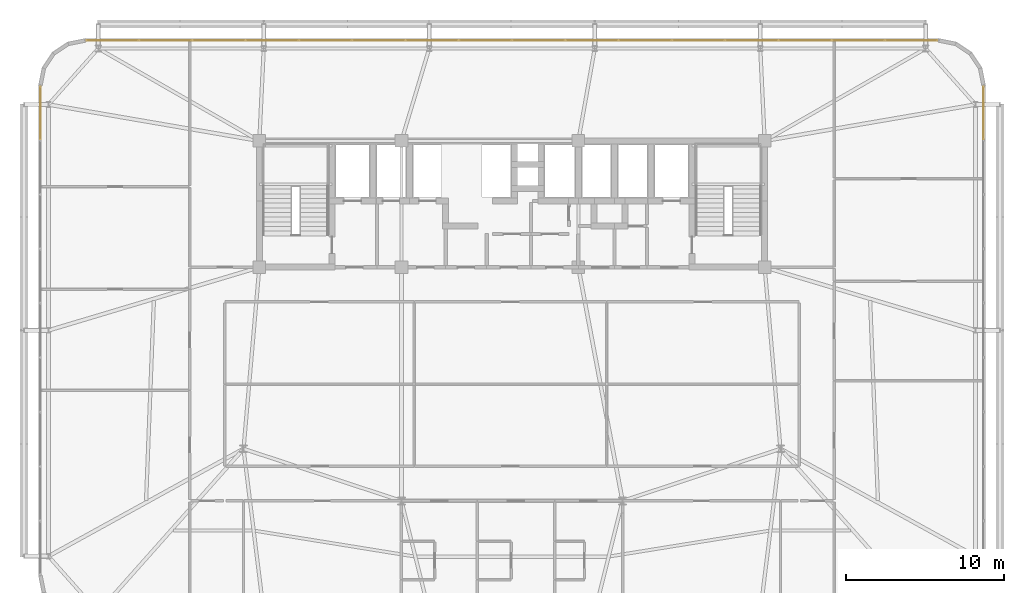
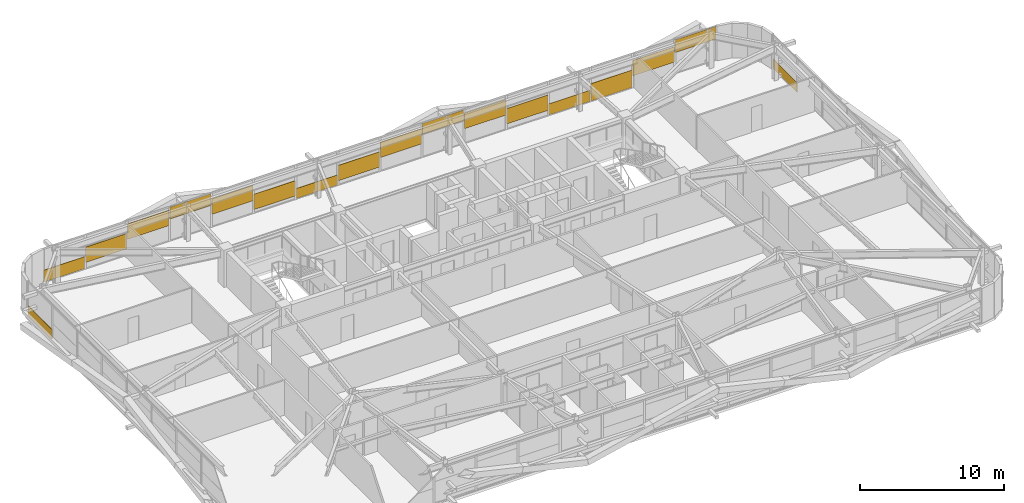
# One storey, part 59 of 59: 18 coverings.
"""IFC4 building model written with IfcOpenShell, lengths in metres."""

from ifc_helpers import new_model, si_unit, direction, frame, origin, origin_2d, place, context, subcontext, project, spatial, rectangle, extrude, source, transform, mapped, material, layer, layer_set, type_object, element, save


model = new_model("IFC4")

# Units and contexts
model_context = context("Model", 3, precision=1e-05, world=origin(), true_north=direction((0.0, 1.0)))
body_context = subcontext(model_context, "Body", "Model", "MODEL_VIEW")
ifc_project = project(units=[si_unit("LENGTHUNIT", "METRE"), si_unit("AREAUNIT", "SQUARE_METRE"), si_unit("VOLUMEUNIT", "CUBIC_METRE"), si_unit("PLANEANGLEUNIT", "RADIAN"), si_unit("MASSUNIT", "GRAM", prefix="KILO")], contexts=[model_context])

# Site, building, storey
site_placement = place(None, origin())
site = spatial("IfcSite", under=ifc_project, at=site_placement, CompositionType="ELEMENT")
building_placement = place(site_placement, origin())
building = spatial("IfcBuilding", under=site, at=building_placement, Name="Taldren Reach Tower", CompositionType="ELEMENT")
storey_placement = place(building_placement, frame((0.0, 0.0, 48.300048828125)))
storey = spatial("IfcBuildingStorey", under=building, at=storey_placement, Name="L14", CompositionType="ELEMENT", Elevation=48.300048828125)

# Coverings
ifc_material = material(Name="Pale Champagne Fluoropolymer Aluminium Spandrel Cladding", Category="aluminium")
ifc_layer = layer(ifc_material, 0.0439453125)
ifc_layer_set = layer_set([ifc_layer], Name="Pale Champagne Fluoropolymer Aluminium Spandrel Cladding")
covering_type = type_object("IfcCoveringType", Name="CV-CLAD-044", PredefinedType="CLADDING", material=ifc_layer_set)
shared_shape_1 = source(origin(), body_context, "Body", "SweptSolid", [
    extrude(rectangle(XDim=3.277587890625, YDim=0.0439453125, at=origin_2d()), origin(), (0.0, 0.0, 1.0), 1.081298828125),
])
covering_1_placement = place(storey_placement, frame((60.296142578125, 38.360107421875, 1.79345703125), z_axis=(0.0, 0.0, 1.0), x_axis=(-1.0, 0.0, 0.0)))
element("IfcCovering", 1, at=covering_1_placement, inside=storey, type_object=covering_type, Name="Diagrid closure cladding strip CW-2 panel 1.1 1", PredefinedType="CLADDING", context=body_context, shape_type="MappedRepresentation", body=[
    mapped(shared_shape_1, transform((0.0, 0.0, 0.0), scale=1.0)),
])
shared_shape_2 = source(origin(), body_context, "Body", "SweptSolid", [
    extrude(rectangle(XDim=3.31005859375, YDim=0.0439453125, at=origin_2d()), origin(), (0.0, 0.0, 1.0), 1.301025390625),
])
for number, where, z_axis, x_axis, name in (
    (2, (56.9375, 38.360107421875, 1.01123046875), (0.0, 0.0, 1.0), (-1.0, 0.0, 0.0), "Diagrid closure cladding strip CW-2 panel 2.1 1"),
    (3, (46.8125, 38.360107421875, 0.4755859375), (0.0, 0.0, 1.0), (-1.0, 0.0, 0.0), "Diagrid closure cladding strip CW-2 panel 5.1 1"),
    (4, (43.4375, 38.360107421875, 1.2578125), (0.0, 0.0, 1.0), (-1.0, 0.0, 0.0), "Diagrid closure cladding strip CW-2 panel 6.1 1"),
    (5, (36.6875, 38.360107421875, 1.17578125), (0.0, 0.0, 1.0), (-1.0, 0.0, 0.0), "Diagrid closure cladding strip CW-2 panel 8.1 1"),
    (6, (33.3125, 38.360107421875, 0.39306640625), (0.0, 0.0, 1.0), (-1.0, 0.0, 0.0), "Diagrid closure cladding strip CW-2 panel 9.1 1"),
    (7, (26.5625, 38.360107421875, 0.31103515625), (0.0, 0.0, 1.0), (-1.0, 0.0, 0.0), "Diagrid closure cladding strip CW-2 panel 11.1 1"),
    (8, (23.1875, 38.360107421875, 1.09326171875), (0.0, 0.0, 1.0), (-1.0, 0.0, 0.0), "Diagrid closure cladding strip CW-2 panel 12.1 1"),
    (9, (16.4375, 38.360107421875, 1.34033203125), (0.0, 0.0, 1.0), (-1.0, 0.0, 0.0), "Diagrid closure cladding strip CW-2 panel 14.1 1"),
    (10, (13.0625, 38.360107421875, 0.5576171875), (0.0, 0.0, 1.0), (-1.0, 0.0, 0.0), "Diagrid closure cladding strip CW-2 panel 15.1 1"),
):
    element("IfcCovering", number, at=place(storey_placement, frame(where, z_axis=z_axis, x_axis=x_axis)), inside=storey, type_object=covering_type, Name=name, PredefinedType="CLADDING", context=body_context, shape_type="MappedRepresentation", body=[
        mapped(shared_shape_2, transform((0.0, 0.0, 0.0), scale=1.0)),
    ])
shared_shape_3 = source(origin(), body_context, "Body", "SweptSolid", [
    extrude(rectangle(XDim=3.31005859375, YDim=0.0439453125, at=origin_2d()), origin(), (0.0, 0.0, 1.0), 1.474609375),
])
covering_2_placement = place(storey_placement, frame((53.5625, 38.360107421875, 0.054931640625), z_axis=(0.0, 0.0, 1.0), x_axis=(-1.0, 0.0, 0.0)))
element("IfcCovering", 11, at=covering_2_placement, inside=storey, type_object=covering_type, Name="Diagrid closure cladding strip CW-2 panel 3.1 1", PredefinedType="CLADDING", context=body_context, shape_type="MappedRepresentation", body=[
    mapped(shared_shape_3, transform((0.0, 0.0, 0.0), scale=1.0)),
])
shared_shape_4 = source(origin(), body_context, "Body", "SweptSolid", [
    extrude(rectangle(XDim=3.31005859375, YDim=0.0439453125, at=origin_2d()), origin(), (0.0, 0.0, 1.0), 0.93896484375),
])
covering_3_placement = place(storey_placement, frame((50.1875, 38.360107421875, 0.054931640625), z_axis=(0.0, 0.0, 1.0), x_axis=(-1.0, 0.0, 0.0)))
element("IfcCovering", 12, at=covering_3_placement, inside=storey, type_object=covering_type, Name="Diagrid closure cladding strip CW-2 panel 4.1 1", PredefinedType="CLADDING", context=body_context, shape_type="MappedRepresentation", body=[
    mapped(shared_shape_4, transform((0.0, 0.0, 0.0), scale=1.0)),
])
shared_shape_5 = source(origin(), body_context, "Body", "SweptSolid", [
    extrude(rectangle(XDim=3.31005859375, YDim=0.0439453125, at=origin_2d()), origin(), (0.0, 0.0, 1.0), 0.916748046875),
])
covering_4_placement = place(storey_placement, frame((40.0625, 38.360107421875, 1.9580078125), z_axis=(0.0, 0.0, 1.0), x_axis=(-1.0, 0.0, 0.0)))
element("IfcCovering", 13, at=covering_4_placement, inside=storey, type_object=covering_type, Name="Diagrid closure cladding strip CW-2 panel 7.1 1", PredefinedType="CLADDING", context=body_context, shape_type="MappedRepresentation", body=[
    mapped(shared_shape_5, transform((0.0, 0.0, 0.0), scale=1.0)),
])
shared_shape_6 = source(origin(), body_context, "Body", "SweptSolid", [
    extrude(rectangle(XDim=3.31005859375, YDim=0.0439453125, at=origin_2d()), origin(), (0.0, 0.0, 1.0), 0.856689453125),
])
covering_5_placement = place(storey_placement, frame((29.9375, 38.360107421875, 0.05517578125), z_axis=(0.0, 0.0, 1.0), x_axis=(-1.0, 0.0, 0.0)))
element("IfcCovering", 14, at=covering_5_placement, inside=storey, type_object=covering_type, Name="Diagrid closure cladding strip CW-2 panel 10.1 1", PredefinedType="CLADDING", context=body_context, shape_type="MappedRepresentation", body=[
    mapped(shared_shape_6, transform((0.0, 0.0, 0.0), scale=1.0)),
])
shared_shape_7 = source(origin(), body_context, "Body", "SweptSolid", [
    extrude(rectangle(XDim=3.31005859375, YDim=0.0439453125, at=origin_2d()), origin(), (0.0, 0.0, 1.0), 0.9990234375),
])
covering_6_placement = place(storey_placement, frame((19.8125, 38.360107421875, 1.8759765625), z_axis=(0.0, 0.0, 1.0), x_axis=(-1.0, 0.0, 0.0)))
element("IfcCovering", 15, at=covering_6_placement, inside=storey, type_object=covering_type, Name="Diagrid closure cladding strip CW-2 panel 13.1 1", PredefinedType="CLADDING", context=body_context, shape_type="MappedRepresentation", body=[
    mapped(shared_shape_7, transform((0.0, 0.0, 0.0), scale=1.0)),
])
shared_shape_8 = source(origin(), body_context, "Body", "SweptSolid", [
    extrude(rectangle(XDim=3.277587890625, YDim=0.0439453125, at=origin_2d()), origin(), (0.0, 0.0, 1.0), 1.021240234375),
])
covering_7_placement = place(storey_placement, frame((9.703857421875, 38.360107421875, 0.05517578125), z_axis=(0.0, 0.0, 1.0), x_axis=(-1.0, 0.0, 0.0)))
element("IfcCovering", 16, at=covering_7_placement, inside=storey, type_object=covering_type, Name="Diagrid closure cladding strip CW-2 panel 16.1 1", PredefinedType="CLADDING", context=body_context, shape_type="MappedRepresentation", body=[
    mapped(shared_shape_8, transform((0.0, 0.0, 0.0), scale=1.0)),
])
shared_shape_9 = source(origin(), body_context, "Body", "SweptSolid", [
    extrude(rectangle(XDim=3.346923828125, YDim=0.0439453125, at=origin_2d()), origin(), (0.0, 0.0, 1.0), 0.804443359375),
])
for number, where, z_axis, x_axis, name in (
    (17, (5.139892578125, 33.761474609375, 0.05517578125), (0.0, 0.0, 1.0), (0.0, -1.0, 0.0), "Diagrid closure cladding strip CW-2 panel 1.1 1"),
    (18, (64.860107421875, 33.761474609375, 0.05517578125), (0.0, 0.0, 1.0), (0.0, 1.0, 0.0), "Diagrid closure cladding strip CW-2 panel 9.1 1"),
):
    element("IfcCovering", number, at=place(storey_placement, frame(where, z_axis=z_axis, x_axis=x_axis)), inside=storey, type_object=covering_type, Name=name, PredefinedType="CLADDING", context=body_context, shape_type="MappedRepresentation", body=[
        mapped(shared_shape_9, transform((0.0, 0.0, 0.0), scale=1.0)),
    ])

save(model, "model.ifc")
